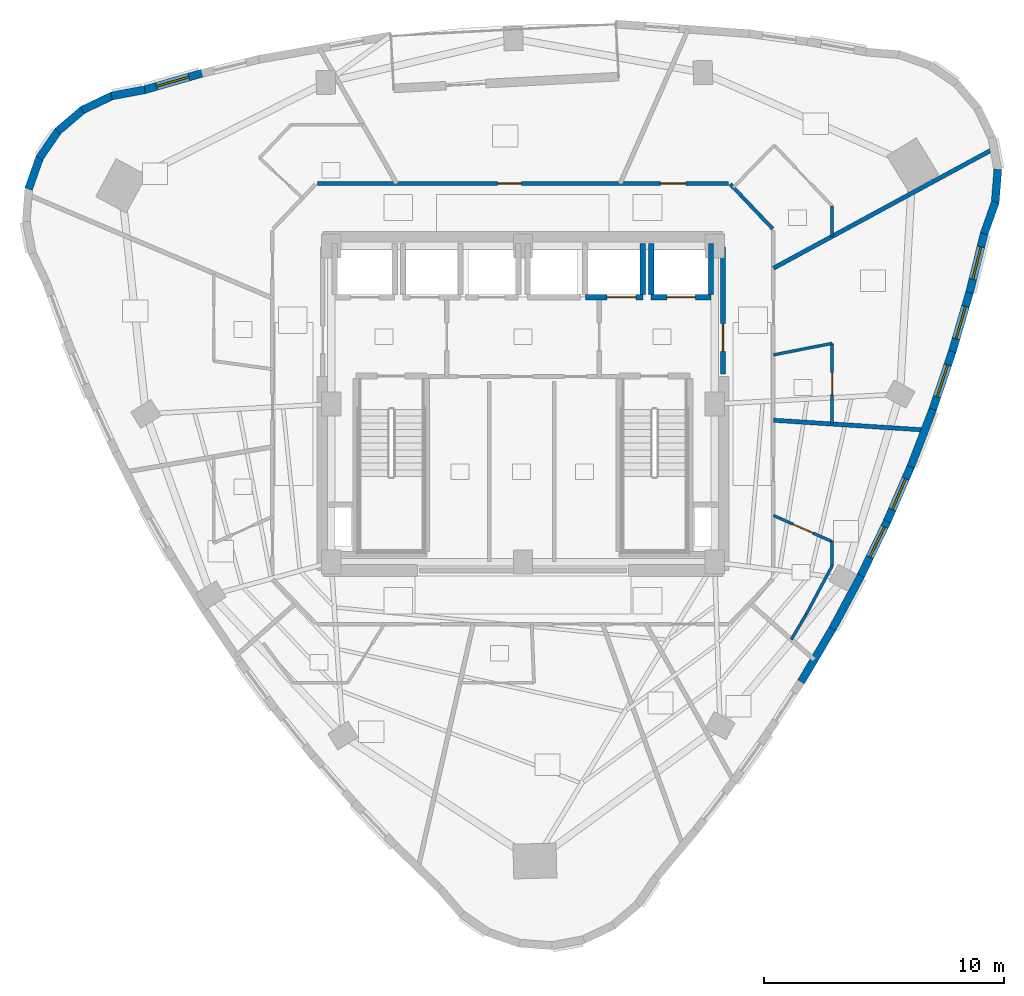
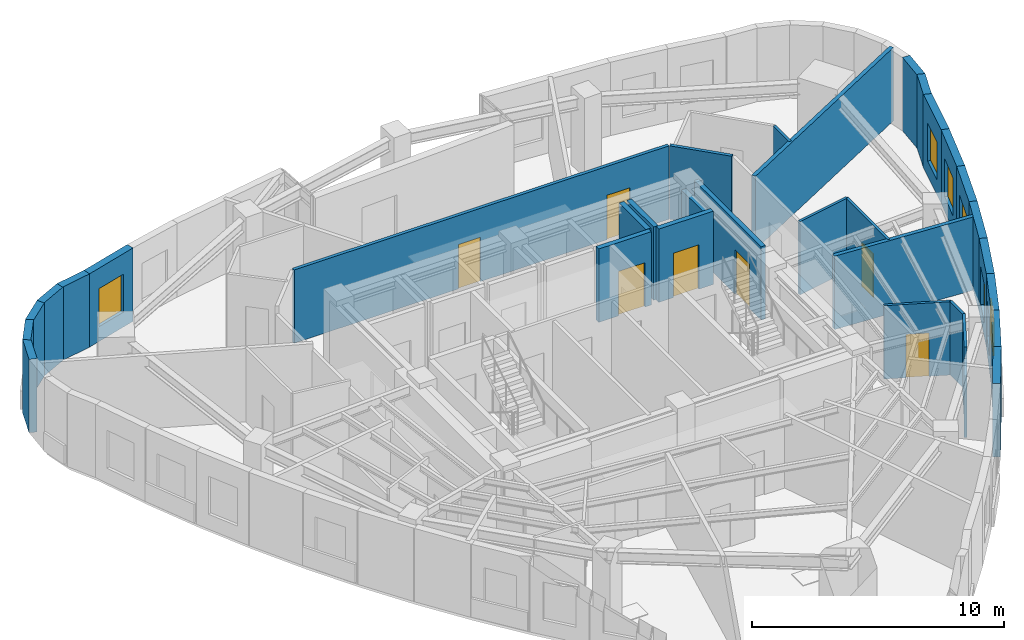
# One storey, part 7 of 11: 33 walls, 7 doors, 6 windows, 13 openings.
"""IFC4 building model written with IfcOpenShell, lengths in metres."""

from ifc_helpers import new_model, si_unit, direction, frame, frame_2d, origin, place, context, subcontext, project, spatial, rectangle, extrude, material, layer, layer_set, type_object, element, fill, save


model = new_model("IFC4")

# Units and contexts
model_context = context("Model", 3, precision=1e-05, world=origin(), true_north=direction((0.0, 1.0)))
body_context = subcontext(model_context, "Body", "Model", "MODEL_VIEW")
ifc_project = project(units=[si_unit("LENGTHUNIT", "METRE"), si_unit("AREAUNIT", "SQUARE_METRE"), si_unit("VOLUMEUNIT", "CUBIC_METRE"), si_unit("PLANEANGLEUNIT", "RADIAN"), si_unit("MASSUNIT", "GRAM", prefix="KILO")], contexts=[model_context])

# Site, building, storey
site_placement = place(None, origin())
site = spatial("IfcSite", under=ifc_project, at=site_placement, CompositionType="ELEMENT")
building_placement = place(site_placement, origin())
building = spatial("IfcBuilding", under=site, at=building_placement, Name="Ndelora Gate Hotel", CompositionType="ELEMENT")
storey_placement = place(building_placement, frame((0.0, 0.0, 224.550048828125)))
storey = spatial("IfcBuildingStorey", under=building, at=storey_placement, Name="L56", CompositionType="ELEMENT", Elevation=224.550048828125)

# Walls
ifc_material_1 = material(Name="Acoustic Double-Stud Gypsum Assembly", Category="gypsum")
ifc_layer_1 = layer(ifc_material_1, 0.179931640625)
ifc_layer_set_1 = layer_set([ifc_layer_1], Name="Acoustic Double-Stud Gypsum Assembly")
wall_type_1 = type_object("IfcWallType", Name="WL-ACOUST-180", PredefinedType="PARTITIONING", material=ifc_layer_set_1)
wall_1_placement = place(storey_placement, frame((10.449951171875, -0.675537109375, 0.0), z_axis=(0.0, 0.0, 1.0), x_axis=(0.997917550795, -0.064502417126, 0.0)))
element("IfcWall", 1, at=wall_1_placement, inside=storey, type_object=wall_type_1, Name="L56 Interior Wall IW-3", PredefinedType="PARTITIONING", context=body_context, shape_type="SweptSolid", body=[
    extrude(rectangle(XDim=6.332275390625, YDim=0.179931640625, at=frame_2d((3.166015625, 0.0))), origin(), (0.0, 0.0, 1.0), 3.550048828125),
])
wall_2_placement = place(storey_placement, frame((10.449951171875, 5.665283203125, 0.0), z_axis=(0.0, 0.0, 1.0), x_axis=(0.879128995533, 0.476583895252, 0.0)))
element("IfcWall", 2, at=wall_2_placement, inside=storey, type_object=wall_type_1, Name="L56 Interior Wall IW-3", PredefinedType="PARTITIONING", context=body_context, shape_type="SweptSolid", body=[
    extrude(rectangle(XDim=10.45947265625, YDim=0.179931640625, at=frame_2d((5.229736328125, 0.0))), origin(), (0.0, 0.0, 1.0), 3.550048828125),
])
ifc_material_2 = material(Name="Clay Brick Masonry", Category="masonry")
ifc_layer_2 = layer(ifc_material_2, 0.330078125)
ifc_layer_set_2 = layer_set([ifc_layer_2], Name="Clay Brick Masonry")
wall_type_2 = type_object("IfcWallType", Name="WL-BRICK-330", PredefinedType="SOLIDWALL", material=ifc_layer_set_2)
wall_3_placement = place(storey_placement, frame((-17.16015625, 12.853271484375, 0.0), z_axis=(0.0, 0.0, 1.0), x_axis=(0.983270499209, 0.182151380411, 0.0)))
element("IfcWall", 3, at=wall_3_placement, inside=storey, type_object=wall_type_2, Name="L56 Tower Brick Pier-and-Spandrel Wall TWR-1", PredefinedType="SOLIDWALL", context=body_context, shape_type="SweptSolid", body=[
    extrude(rectangle(XDim=1.4072265625, YDim=0.330078125, at=frame_2d((0.70361328125, 0.0))), origin(), (0.0, 0.0, 1.0), 3.550048828125),
])
for number, where, z_axis, x_axis, name in (
    (4, (-18.38330078125, 12.2626953125, 0.0), (0.0, 0.0, 1.0), (0.902565310806, 0.430552969714, 0.0), "L56 Tower Brick Pier-and-Spandrel Wall TWR-2"),
    (5, (-19.412109375, 11.37548828125, 0.0), (0.0, 0.0, 1.0), (0.760430782952, 0.64941898982, 0.0), "L56 Tower Brick Pier-and-Spandrel Wall TWR-3"),
    (6, (-20.176025390625, 10.25244140625, 0.0), (0.0, 0.0, 1.0), (0.566374209812, 0.824148199331, 0.0), "L56 Tower Brick Pier-and-Spandrel Wall TWR-4"),
):
    element("IfcWall", number, at=place(storey_placement, frame(where, z_axis=z_axis, x_axis=x_axis)), inside=storey, type_object=wall_type_2, Name=name, PredefinedType="SOLIDWALL", context=body_context, shape_type="SweptSolid", body=[
        extrude(rectangle(XDim=1.407470703125, YDim=0.330078125, at=frame_2d((0.70361328125, 0.0))), origin(), (0.0, 0.0, 1.0), 3.550048828125),
    ])
wall_4_placement = place(storey_placement, frame((-20.623291015625, 8.9697265625, 0.0), z_axis=(0.0, 0.0, 1.0), x_axis=(0.333709077945, 0.942676111555, 0.0)))
element("IfcWall", 7, at=wall_4_placement, inside=storey, type_object=wall_type_2, Name="L56 Tower Brick Pier-and-Spandrel Wall TWR-5", PredefinedType="SOLIDWALL", context=body_context, shape_type="SweptSolid", body=[
    extrude(rectangle(XDim=1.40771484375, YDim=0.330078125, at=frame_2d((0.703857421875, 0.0))), origin(), (0.0, 0.0, 1.0), 3.550048828125),
])
wall_5_placement = place(storey_placement, frame((12.9140625, -9.37548828125, 0.0), z_axis=(0.0, 0.0, 1.0), x_axis=(-0.509023691709, -0.860752508727, 0.0)))
element("IfcWall", 8, at=wall_5_placement, inside=storey, type_object=wall_type_2, Name="L56 Tower Brick Pier-and-Spandrel Wall TWR-33", PredefinedType="SOLIDWALL", context=body_context, shape_type="SweptSolid", body=[
    extrude(rectangle(XDim=2.5703125, YDim=0.330078125, at=frame_2d((1.28515625, 0.0))), origin(), (0.0, 0.0, 1.0), 3.550048828125),
])
wall_6_placement = place(storey_placement, frame((14.102294921875, -7.157470703125, 0.0), z_axis=(0.0, 0.0, 1.0), x_axis=(-0.472567241961, -0.881294616928, 0.0)))
element("IfcWall", 9, at=wall_6_placement, inside=storey, type_object=wall_type_2, Name="L56 Tower Brick Pier-and-Spandrel Wall TWR-34", PredefinedType="SOLIDWALL", context=body_context, shape_type="SweptSolid", body=[
    extrude(rectangle(XDim=2.566162109375, YDim=0.330078125, at=frame_2d((1.283203125, 0.0))), origin(), (0.0, 0.0, 1.0), 3.550048828125),
])

# Wall, opening, window
wall_7_placement = place(storey_placement, frame((15.1962890625, -4.8916015625, 0.0), z_axis=(0.0, 0.0, 1.0), x_axis=(-0.435185371062, -0.900340875898, 0.0)))
wall_7 = element("IfcWall", 10, at=wall_7_placement, inside=storey, type_object=wall_type_2, Name="L56 Tower Brick Pier-and-Spandrel Wall TWR-35", PredefinedType="SOLIDWALL", context=body_context, shape_type="SweptSolid", body=[
    extrude(rectangle(XDim=2.56591796875, YDim=0.330078125, at=frame_2d((1.282958984375, 0.0))), origin(), (0.0, 0.0, 1.0), 3.550048828125),
])
opening_1_placement = place(wall_7_placement, frame((0.260009765625, 0.0, 0.719970703125)))
opening_1 = element("IfcOpeningElement", 11, at=opening_1_placement, cuts=wall_7, Name="Opening W02", PredefinedType="OPENING", context=body_context, shape_type="SweptSolid", body=[
    extrude(rectangle(XDim=1.39990234375, YDim=1.840087890625, at=frame_2d((0.699951171875, 0.919921875))), frame((0.0, 0.175048828125, 0.0), z_axis=(0.0, -1.0, 0.0), x_axis=(1.0, 0.0, 0.0)), (0.0, 0.0, 1.0), 0.35009765625),
])
ifc_material_3 = material(Name="Insulated Low-E Double Glazing in Bronze Aluminium Frame", Category="aluminium")
window_type = type_object("IfcWindowType", Name="WN-DEEP-1400", PartitioningType="SINGLE_PANEL", PredefinedType="WINDOW", material=ifc_material_3)
window_1_placement = place(opening_1_placement, origin())
window_1 = element("IfcWindow", 12, at=window_1_placement, inside=storey, type_object=window_type, Name="L56 Deep-Set Brick-Pier Window W02", OverallHeight=1.840087890625, OverallWidth=1.39990234375, PartitioningType="SINGLE_PANEL", PredefinedType="WINDOW", context=body_context, shape_type="SweptSolid", body=[
    extrude(rectangle(XDim=1.39990234375, YDim=1.840087890625, at=frame_2d((0.699951171875, 0.919921875))), frame((0.0, 0.030029296875, 0.0), z_axis=(0.0, -1.0, 0.0), x_axis=(1.0, 0.0, 0.0)), (0.0, 0.0, 1.0), 0.06005859375),
])
fill(opening_1, window_1)

wall_8_placement = place(storey_placement, frame((16.1962890625, -2.577880859375, 0.0), z_axis=(0.0, 0.0, 1.0), x_axis=(-0.397103611511, -0.917773785704, 0.0)))
wall_8 = element("IfcWall", 13, at=wall_8_placement, inside=storey, type_object=wall_type_2, Name="L56 Tower Brick Pier-and-Spandrel Wall TWR-36", PredefinedType="SOLIDWALL", context=body_context, shape_type="SweptSolid", body=[
    extrude(rectangle(XDim=2.570556640625, YDim=0.330078125, at=frame_2d((1.28515625, 0.0))), origin(), (0.0, 0.0, 1.0), 3.550048828125),
])
opening_2_placement = place(wall_8_placement, frame((0.585205078125, 0.0, 0.719970703125)))
opening_2 = element("IfcOpeningElement", 14, at=opening_2_placement, cuts=wall_8, Name="Opening W02", PredefinedType="OPENING", context=body_context, shape_type="SweptSolid", body=[
    extrude(rectangle(XDim=1.39990234375, YDim=1.840087890625, at=frame_2d((0.699951171875, 0.919921875))), frame((0.0, 0.175048828125, 0.0), z_axis=(0.0, -1.0, 0.0), x_axis=(1.0, 0.0, 0.0)), (0.0, 0.0, 1.0), 0.35009765625),
])
window_2_placement = place(opening_2_placement, origin())
window_2 = element("IfcWindow", 15, at=window_2_placement, inside=storey, type_object=window_type, Name="L56 Deep-Set Brick-Pier Window W02", OverallHeight=1.840087890625, OverallWidth=1.39990234375, PartitioningType="SINGLE_PANEL", PredefinedType="WINDOW", context=body_context, shape_type="SweptSolid", body=[
    extrude(rectangle(XDim=1.39990234375, YDim=1.840087890625, at=frame_2d((0.699951171875, 0.919921875))), frame((0.0, 0.030029296875, 0.0), z_axis=(0.0, -1.0, 0.0), x_axis=(1.0, 0.0, 0.0)), (0.0, 0.0, 1.0), 0.06005859375),
])
fill(opening_2, window_2)

# Wall
wall_9_placement = place(storey_placement, frame((17.102294921875, -0.21630859375, 0.0), z_axis=(0.0, 0.0, 1.0), x_axis=(-0.358528725074, -0.933518694669, 0.0)))
element("IfcWall", 16, at=wall_9_placement, inside=storey, type_object=wall_type_2, Name="L56 Tower Brick Pier-and-Spandrel Wall TWR-37", PredefinedType="SOLIDWALL", context=body_context, shape_type="SweptSolid", body=[
    extrude(rectangle(XDim=2.579345703125, YDim=0.330078125, at=frame_2d((1.28955078125, 0.0))), origin(), (0.0, 0.0, 1.0), 3.550048828125),
])

# Wall, opening, window
wall_10_placement = place(storey_placement, frame((17.914306640625, 2.193115234375, 0.0), z_axis=(0.0, 0.0, 1.0), x_axis=(-0.319700444906, -0.94751866764, 0.0)))
wall_10 = element("IfcWall", 17, at=wall_10_placement, inside=storey, type_object=wall_type_2, Name="L56 Tower Brick Pier-and-Spandrel Wall TWR-38", PredefinedType="SOLIDWALL", context=body_context, shape_type="SweptSolid", body=[
    extrude(rectangle(XDim=2.592529296875, YDim=0.330078125, at=frame_2d((1.29638671875, 0.0))), origin(), (0.0, 0.0, 1.0), 3.550048828125),
])
opening_3_placement = place(wall_10_placement, frame((0.59619140625, 0.0, 0.719970703125)))
opening_3 = element("IfcOpeningElement", 18, at=opening_3_placement, cuts=wall_10, Name="Opening W02", PredefinedType="OPENING", context=body_context, shape_type="SweptSolid", body=[
    extrude(rectangle(XDim=1.39990234375, YDim=1.840087890625, at=frame_2d((0.699951171875, 0.919921875))), frame((0.0, 0.175048828125, 0.0), z_axis=(0.0, -1.0, 0.0), x_axis=(1.0, 0.0, 0.0)), (0.0, 0.0, 1.0), 0.35009765625),
])
window_3_placement = place(opening_3_placement, origin())
window_3 = element("IfcWindow", 19, at=window_3_placement, inside=storey, type_object=window_type, Name="L56 Deep-Set Brick-Pier Window W02", OverallHeight=1.840087890625, OverallWidth=1.39990234375, PartitioningType="SINGLE_PANEL", PredefinedType="WINDOW", context=body_context, shape_type="SweptSolid", body=[
    extrude(rectangle(XDim=1.39990234375, YDim=1.840087890625, at=frame_2d((0.699951171875, 0.919921875))), frame((0.0, 0.030029296875, 0.0), z_axis=(0.0, -1.0, 0.0), x_axis=(1.0, 0.0, 0.0)), (0.0, 0.0, 1.0), 0.06005859375),
])
fill(opening_3, window_3)

wall_11_placement = place(storey_placement, frame((18.632080078125, 4.650390625, 0.0), z_axis=(0.0, 0.0, 1.0), x_axis=(-0.280732723443, -0.959785985514, 0.0)))
wall_11 = element("IfcWall", 20, at=wall_11_placement, inside=storey, type_object=wall_type_2, Name="L56 Tower Brick Pier-and-Spandrel Wall TWR-39", PredefinedType="SOLIDWALL", context=body_context, shape_type="SweptSolid", body=[
    extrude(rectangle(XDim=2.60986328125, YDim=0.330078125, at=frame_2d((1.304931640625, 0.0))), origin(), (0.0, 0.0, 1.0), 3.550048828125),
])
opening_4_placement = place(wall_11_placement, frame((0.60498046875, 0.0, 0.719970703125)))
opening_4 = element("IfcOpeningElement", 21, at=opening_4_placement, cuts=wall_11, Name="Opening W02", PredefinedType="OPENING", context=body_context, shape_type="SweptSolid", body=[
    extrude(rectangle(XDim=1.39990234375, YDim=1.840087890625, at=frame_2d((0.699951171875, 0.919921875))), frame((0.0, 0.175048828125, 0.0), z_axis=(0.0, -1.0, 0.0), x_axis=(1.0, 0.0, 0.0)), (0.0, 0.0, 1.0), 0.35009765625),
])
window_4_placement = place(opening_4_placement, origin())
window_4 = element("IfcWindow", 22, at=window_4_placement, inside=storey, type_object=window_type, Name="L56 Deep-Set Brick-Pier Window W02", OverallHeight=1.840087890625, OverallWidth=1.39990234375, PartitioningType="SINGLE_PANEL", PredefinedType="WINDOW", context=body_context, shape_type="SweptSolid", body=[
    extrude(rectangle(XDim=1.39990234375, YDim=1.840087890625, at=frame_2d((0.699951171875, 0.919921875))), frame((0.0, 0.030029296875, 0.0), z_axis=(0.0, -1.0, 0.0), x_axis=(1.0, 0.0, 0.0)), (0.0, 0.0, 1.0), 0.06005859375),
])
fill(opening_4, window_4)

wall_12_placement = place(storey_placement, frame((19.255859375, 7.15576171875, 0.0), z_axis=(0.0, 0.0, 1.0), x_axis=(-0.24192443615, -0.970295092842, 0.0)))
wall_12 = element("IfcWall", 23, at=wall_12_placement, inside=storey, type_object=wall_type_2, Name="L56 Tower Brick Pier-and-Spandrel Wall TWR-40", PredefinedType="SOLIDWALL", context=body_context, shape_type="SweptSolid", body=[
    extrude(rectangle(XDim=2.6318359375, YDim=0.330078125, at=frame_2d((1.31591796875, 0.0))), origin(), (0.0, 0.0, 1.0), 3.550048828125),
])
opening_5_placement = place(wall_12_placement, frame((0.615966796875, 0.0, 0.719970703125)))
opening_5 = element("IfcOpeningElement", 24, at=opening_5_placement, cuts=wall_12, Name="Opening W02", PredefinedType="OPENING", context=body_context, shape_type="SweptSolid", body=[
    extrude(rectangle(XDim=1.39990234375, YDim=1.840087890625, at=frame_2d((0.699951171875, 0.919921875))), frame((0.0, 0.175048828125, 0.0), z_axis=(0.0, -1.0, 0.0), x_axis=(1.0, 0.0, 0.0)), (0.0, 0.0, 1.0), 0.35009765625),
])
window_5_placement = place(opening_5_placement, origin())
window_5 = element("IfcWindow", 25, at=window_5_placement, inside=storey, type_object=window_type, Name="L56 Deep-Set Brick-Pier Window W02", OverallHeight=1.840087890625, OverallWidth=1.39990234375, PartitioningType="SINGLE_PANEL", PredefinedType="WINDOW", context=body_context, shape_type="SweptSolid", body=[
    extrude(rectangle(XDim=1.39990234375, YDim=1.840087890625, at=frame_2d((0.699951171875, 0.919921875))), frame((0.0, 0.030029296875, 0.0), z_axis=(0.0, -1.0, 0.0), x_axis=(1.0, 0.0, 0.0)), (0.0, 0.0, 1.0), 0.06005859375),
])
fill(opening_5, window_5)

# Walls
wall_13_placement = place(storey_placement, frame((19.711181640625, 8.4345703125, 0.0), z_axis=(0.0, 0.0, 1.0), x_axis=(-0.33376364871, -0.942656791627, 0.0)))
element("IfcWall", 26, at=wall_13_placement, inside=storey, type_object=wall_type_2, Name="L56 Tower Brick Pier-and-Spandrel Wall TWR-41", PredefinedType="SOLIDWALL", context=body_context, shape_type="SweptSolid", body=[
    extrude(rectangle(XDim=1.407470703125, YDim=0.330078125, at=frame_2d((0.70361328125, 0.0))), origin(), (0.0, 0.0, 1.0), 3.550048828125),
])
wall_14_placement = place(storey_placement, frame((19.8115234375, 9.789306640625, 0.0), z_axis=(0.0, 0.0, 1.0), x_axis=(-0.078566409812, -0.99690888212, 0.0)))
element("IfcWall", 27, at=wall_14_placement, inside=storey, type_object=wall_type_2, Name="L56 Tower Brick Pier-and-Spandrel Wall TWR-42", PredefinedType="SOLIDWALL", context=body_context, shape_type="SweptSolid", body=[
    extrude(rectangle(XDim=1.40771484375, YDim=0.330078125, at=frame_2d((0.703857421875, 0.0))), origin(), (0.0, 0.0, 1.0), 3.550048828125),
])

# Wall, opening, window
wall_15_placement = place(storey_placement, frame((-15.824951171875, 13.09814453125, 0.0), z_axis=(0.0, 0.0, 1.0), x_axis=(0.961045266568, 0.276391019406, 0.0)))
wall_15 = element("IfcWall", 28, at=wall_15_placement, inside=storey, type_object=wall_type_2, Name="L56 Tower Brick Pier-and-Spandrel Wall TWR-58", PredefinedType="SOLIDWALL", context=body_context, shape_type="SweptSolid", body=[
    extrude(rectangle(XDim=2.529052734375, YDim=0.330078125, at=frame_2d((1.2646484375, 0.0))), origin(), (0.0, 0.0, 1.0), 3.550048828125),
])
opening_6_placement = place(wall_15_placement, frame((0.564453125, 0.0, 0.719970703125)))
opening_6 = element("IfcOpeningElement", 29, at=opening_6_placement, cuts=wall_15, Name="Opening W02", PredefinedType="OPENING", context=body_context, shape_type="SweptSolid", body=[
    extrude(rectangle(XDim=1.39990234375, YDim=1.840087890625, at=frame_2d((0.699951171875, 0.919921875))), frame((0.0, 0.175048828125, 0.0), z_axis=(0.0, -1.0, 0.0), x_axis=(1.0, 0.0, 0.0)), (0.0, 0.0, 1.0), 0.35009765625),
])
window_6_placement = place(opening_6_placement, origin())
window_6 = element("IfcWindow", 30, at=window_6_placement, inside=storey, type_object=window_type, Name="L56 Deep-Set Brick-Pier Window W02", OverallHeight=1.840087890625, OverallWidth=1.39990234375, PartitioningType="SINGLE_PANEL", PredefinedType="WINDOW", context=body_context, shape_type="SweptSolid", body=[
    extrude(rectangle(XDim=1.39990234375, YDim=1.840087890625, at=frame_2d((0.699951171875, 0.919921875))), frame((0.0, 0.030029296875, 0.0), z_axis=(0.0, -1.0, 0.0), x_axis=(1.0, 0.0, 0.0)), (0.0, 0.0, 1.0), 0.06005859375),
])
fill(opening_6, window_6)

# Wall, opening, door
ifc_material_4 = material(Name="Concrete C40/50", Category="concrete")
ifc_layer_3 = layer(ifc_material_4, 0.199951171875)
ifc_layer_set_3 = layer_set([ifc_layer_3], Name="Concrete C40/50")
wall_type_3 = type_object("IfcWallType", Name="WL-FIRE-200", PredefinedType="PARTITIONING", material=ifc_layer_set_3)
wall_16_placement = place(storey_placement, frame((8.35009765625, 1.25, 0.0), z_axis=(0.0, 0.0, 1.0), x_axis=(0.0, 1.0, 0.0)))
wall_16 = element("IfcWall", 31, at=wall_16_placement, inside=storey, type_object=wall_type_3, Name="L56 Interior Wall IW-2", PredefinedType="PARTITIONING", context=body_context, shape_type="SweptSolid", body=[
    extrude(rectangle(XDim=5.300048828125, YDim=0.199951171875, at=frame_2d((2.64990234375, 0.0))), origin(), (0.0, 0.0, 1.0), 3.550048828125),
])
opening_7_placement = place(wall_16_placement, frame((0.949951171875, 0.0, 0.0)))
opening_7 = element("IfcOpeningElement", 32, at=opening_7_placement, cuts=wall_16, Name="Opening FD1", PredefinedType="OPENING", context=body_context, shape_type="SweptSolid", body=[
    extrude(rectangle(XDim=1.14990234375, YDim=2.14990234375, at=frame_2d((0.574951171875, 1.074951171875))), frame((0.0, 0.10986328125, 0.0), z_axis=(0.0, -1.0, 0.0), x_axis=(1.0, 0.0, 0.0)), (0.0, 0.0, 1.0), 0.219970703125),
])
ifc_material_5 = material(Name="Fire-Rated Timber-Veneer Steel Core", Category="steel")
door_type_1 = type_object("IfcDoorType", Name="DR-FD60", OperationType="SINGLE_SWING_LEFT", PredefinedType="DOOR", material=ifc_material_5)
door_1_placement = place(opening_7_placement, origin())
door_1 = element("IfcDoor", 33, at=door_1_placement, inside=storey, type_object=door_type_1, Name="L56 Firefighting Lobby East Corridor Door", OperationType="SINGLE_SWING_RIGHT", OverallHeight=2.14990234375, OverallWidth=1.14990234375, PredefinedType="DOOR", context=body_context, shape_type="SweptSolid", body=[
    extrude(rectangle(XDim=1.14990234375, YDim=2.14990234375, at=frame_2d((0.574951171875, 1.074951171875))), frame((0.0, 0.02490234375, 0.0), z_axis=(0.0, -1.0, 0.0), x_axis=(1.0, 0.0, 0.0)), (0.0, 0.0, 1.0), 0.050048828125),
])
fill(opening_7, door_1)

# Wall
ifc_material_6 = material(Name="Fire-Rated Gypsum Stud Partition", Category="gypsum")
ifc_layer_4 = layer(ifc_material_6, 0.14990234375)
ifc_layer_set_4 = layer_set([ifc_layer_4], Name="Fire-Rated Gypsum Stud Partition")
wall_type_4 = type_object("IfcWallType", Name="WL-PART-150", PredefinedType="PARTITIONING", material=ifc_layer_set_4)
wall_17_placement = place(storey_placement, frame((8.647705078125, 9.1708984375, 0.0), z_axis=(0.0, 0.0, 1.0), x_axis=(0.689960858356, -0.723846678473, 0.0)))
element("IfcWall", 34, at=wall_17_placement, inside=storey, type_object=wall_type_4, Name="L56 Interior Wall IW-5", PredefinedType="PARTITIONING", context=body_context, shape_type="SweptSolid", body=[
    extrude(rectangle(XDim=2.572021484375, YDim=0.14990234375, at=frame_2d((1.2861328125, 0.0))), origin(), (0.0, 0.0, 1.0), 3.550048828125),
])

# Wall, openings, doors
wall_18_placement = place(storey_placement, frame((-8.580078125, 9.199951171875, 0.0), z_axis=(0.0, 0.0, 1.0), x_axis=(1.0, 0.0, 0.0)))
wall_18 = element("IfcWall", 35, at=wall_18_placement, inside=storey, type_object=wall_type_4, Name="L56 Interior Wall IW-5", PredefinedType="PARTITIONING", context=body_context, shape_type="SweptSolid", body=[
    extrude(rectangle(XDim=17.16015625, YDim=0.14990234375, at=frame_2d((8.580078125, 0.0))), origin(), (0.0, 0.0, 1.0), 3.550048828125),
])
opening_8_placement = place(wall_18_placement, frame((7.519775390625, 0.0, 0.0)))
opening_8 = element("IfcOpeningElement", 36, at=opening_8_placement, cuts=wall_18, Name="Opening D01", PredefinedType="OPENING", context=body_context, shape_type="SweptSolid", body=[
    extrude(rectangle(XDim=1.0, YDim=2.14990234375, at=frame_2d((0.5, 1.074951171875))), frame((0.0, 0.0849609375, 0.0), z_axis=(0.0, -1.0, 0.0), x_axis=(1.0, 0.0, 0.0)), (0.0, 0.0, 1.0), 0.169921875),
])
opening_9_placement = place(wall_18_placement, frame((14.318603515625, 0.0, 0.0)))
opening_9 = element("IfcOpeningElement", 37, at=opening_9_placement, cuts=wall_18, Name="Opening D07", PredefinedType="OPENING", context=body_context, shape_type="SweptSolid", body=[
    extrude(rectangle(XDim=1.06005859375, YDim=2.14990234375, at=frame_2d((0.530029296875, 1.074951171875))), frame((0.0, 0.0849609375, 0.0), z_axis=(0.0, -1.0, 0.0), x_axis=(1.0, 0.0, 0.0)), (0.0, 0.0, 1.0), 0.169921875),
])
ifc_material_7 = material(Name="Acoustic Hardwood Guest Entrance Door", Category="wood")
door_type_2 = type_object("IfcDoorType", Name="DR-COR-1000", OperationType="SINGLE_SWING_LEFT", PredefinedType="DOOR", material=ifc_material_7)
door_2_placement = place(opening_8_placement, origin())
door_2 = element("IfcDoor", 38, at=door_2_placement, inside=storey, type_object=door_type_2, Name="L56 Sky Garden Tea Dining Room Entrance Door", OperationType="SINGLE_SWING_LEFT", OverallHeight=2.14990234375, OverallWidth=1.0, PredefinedType="DOOR", context=body_context, shape_type="SweptSolid", body=[
    extrude(rectangle(XDim=1.0, YDim=2.14990234375, at=frame_2d((0.5, 1.074951171875))), frame((0.0, 0.02490234375, 0.0), z_axis=(0.0, -1.0, 0.0), x_axis=(1.0, 0.0, 0.0)), (0.0, 0.0, 1.0), 0.050048828125),
])
fill(opening_8, door_2)
ifc_material_8 = material(Name="Diplomatic Suite Acoustic Entrance Door", Category="wood")
door_type_3 = type_object("IfcDoorType", Name="DR-SUITE-1060", OperationType="SINGLE_SWING_LEFT", PredefinedType="DOOR", material=ifc_material_8)
door_3_placement = place(opening_9_placement, origin())
door_3 = element("IfcDoor", 39, at=door_3_placement, inside=storey, type_object=door_type_3, Name="L56 Corner Sky Suite 5903 Entrance Door", OperationType="SINGLE_SWING_LEFT", OverallHeight=2.14990234375, OverallWidth=1.06005859375, PredefinedType="DOOR", context=body_context, shape_type="SweptSolid", body=[
    extrude(rectangle(XDim=1.06005859375, YDim=2.14990234375, at=frame_2d((0.530029296875, 1.074951171875))), frame((0.0, 0.02490234375, 0.0), z_axis=(0.0, -1.0, 0.0), x_axis=(1.0, 0.0, 0.0)), (0.0, 0.0, 1.0), 0.050048828125),
])
fill(opening_9, door_3)

# Wall, opening, door
ifc_layer_5 = layer(ifc_material_4, 0.219970703125)
ifc_layer_set_5 = layer_set([ifc_layer_5], Name="Concrete C40/50")
wall_type_5 = type_object("IfcWallType", Name="WL-SHAFT-220", PredefinedType="PARTITIONING", material=ifc_layer_set_5)
wall_19_placement = place(storey_placement, frame((5.35009765625, 4.449951171875, 0.0), z_axis=(0.0, 0.0, 1.0), x_axis=(1.0, 0.0, 0.0)))
wall_19 = element("IfcWall", 40, at=wall_19_placement, inside=storey, type_object=wall_type_5, Name="L56 Interior Wall IW-1", PredefinedType="PARTITIONING", context=body_context, shape_type="SweptSolid", body=[
    extrude(rectangle(XDim=2.5, YDim=0.219970703125, at=frame_2d((1.25, 0.0))), origin(), (0.0, 0.0, 1.0), 3.550048828125),
])
opening_10_placement = place(wall_19_placement, frame((0.659912109375, 0.0, 0.0)))
opening_10 = element("IfcOpeningElement", 41, at=opening_10_placement, cuts=wall_19, Name="Opening LD5", PredefinedType="OPENING", context=body_context, shape_type="SweptSolid", body=[
    extrude(rectangle(XDim=1.179931640625, YDim=2.14990234375, at=frame_2d((0.58984375, 1.074951171875))), frame((0.0, 0.1201171875, 0.0), z_axis=(0.0, -1.0, 0.0), x_axis=(1.0, 0.0, 0.0)), (0.0, 0.0, 1.0), 0.239990234375),
])
ifc_material_9 = material(Name="Firefighting Lift Stainless Sliding Landing Door", Category="metal")
door_type_4 = type_object("IfcDoorType", Name="DR-LD5", OperationType="DOUBLE_DOOR_SLIDING", PredefinedType="DOOR", material=ifc_material_9)
door_4_placement = place(opening_10_placement, origin())
door_4 = element("IfcDoor", 42, at=door_4_placement, inside=storey, type_object=door_type_4, Name="L56 Lift Landing Sliding Door FFL2", OperationType="DOUBLE_DOOR_SLIDING", OverallHeight=2.14990234375, OverallWidth=1.179931640625, PredefinedType="DOOR", context=body_context, shape_type="SweptSolid", body=[
    extrude(rectangle(XDim=1.179931640625, YDim=2.14990234375, at=frame_2d((0.58984375, 1.074951171875))), frame((0.0, 0.02490234375, 0.0), z_axis=(0.0, -1.0, 0.0), x_axis=(1.0, 0.0, 0.0)), (0.0, 0.0, 1.0), 0.050048828125),
])
fill(opening_10, door_4)

# Walls
wall_20_placement = place(storey_placement, frame((5.35009765625, 4.570068359375, 0.0), z_axis=(0.0, 0.0, 1.0), x_axis=(0.0, 1.0, 0.0)))
element("IfcWall", 43, at=wall_20_placement, inside=storey, type_object=wall_type_5, Name="L56 Interior Wall IW-1", PredefinedType="PARTITIONING", context=body_context, shape_type="SweptSolid", body=[
    extrude(rectangle(XDim=2.1298828125, YDim=0.219970703125, at=frame_2d((1.06494140625, 0.0))), origin(), (0.0, 0.0, 1.0), 3.550048828125),
])
wall_21_placement = place(storey_placement, frame((7.85009765625, 4.570068359375, 0.0), z_axis=(0.0, 0.0, 1.0), x_axis=(0.0, 1.0, 0.0)))
element("IfcWall", 44, at=wall_21_placement, inside=storey, type_object=wall_type_5, Name="L56 Interior Wall IW-1", PredefinedType="PARTITIONING", context=body_context, shape_type="SweptSolid", body=[
    extrude(rectangle(XDim=2.1298828125, YDim=0.219970703125, at=frame_2d((1.06494140625, 0.0))), origin(), (0.0, 0.0, 1.0), 3.179931640625),
])

# Wall, opening, door
wall_22_placement = place(storey_placement, frame((2.60009765625, 4.449951171875, 0.0), z_axis=(0.0, 0.0, 1.0), x_axis=(1.0, 0.0, 0.0)))
wall_22 = element("IfcWall", 45, at=wall_22_placement, inside=storey, type_object=wall_type_5, Name="L56 Interior Wall IW-1", PredefinedType="PARTITIONING", context=body_context, shape_type="SweptSolid", body=[
    extrude(rectangle(XDim=2.39990234375, YDim=0.219970703125, at=frame_2d((1.199951171875, 0.0))), origin(), (0.0, 0.0, 1.0), 3.550048828125),
])
opening_11_placement = place(wall_22_placement, frame((0.89990234375, 0.0, 0.0)))
opening_11 = element("IfcOpeningElement", 46, at=opening_11_placement, cuts=wall_22, Name="Opening LD6", PredefinedType="OPENING", context=body_context, shape_type="SweptSolid", body=[
    extrude(rectangle(XDim=1.219970703125, YDim=2.14990234375, at=frame_2d((0.60986328125, 1.074951171875))), frame((0.0, 0.1201171875, 0.0), z_axis=(0.0, -1.0, 0.0), x_axis=(1.0, 0.0, 0.0)), (0.0, 0.0, 1.0), 0.239990234375),
])
ifc_material_10 = material(Name="Heavy-Duty Service Lift Sliding Landing Door", Category="wood")
door_type_5 = type_object("IfcDoorType", Name="DR-LD6", OperationType="DOUBLE_DOOR_SLIDING", PredefinedType="DOOR", material=ifc_material_10)
door_5_placement = place(opening_11_placement, origin())
door_5 = element("IfcDoor", 47, at=door_5_placement, inside=storey, type_object=door_type_5, Name="L56 Lift Landing Sliding Door SVL2", OperationType="DOUBLE_DOOR_SLIDING", OverallHeight=2.14990234375, OverallWidth=1.219970703125, PredefinedType="DOOR", context=body_context, shape_type="SweptSolid", body=[
    extrude(rectangle(XDim=1.219970703125, YDim=2.14990234375, at=frame_2d((0.60986328125, 1.074951171875))), frame((0.0, 0.02490234375, 0.0), z_axis=(0.0, -1.0, 0.0), x_axis=(1.0, 0.0, 0.0)), (0.0, 0.0, 1.0), 0.050048828125),
])
fill(opening_11, door_5)

# Wall
wall_23_placement = place(storey_placement, frame((5.0, 4.570068359375, 0.0), z_axis=(0.0, 0.0, 1.0), x_axis=(0.0, 1.0, 0.0)))
element("IfcWall", 48, at=wall_23_placement, inside=storey, type_object=wall_type_5, Name="L56 Interior Wall IW-1", PredefinedType="PARTITIONING", context=body_context, shape_type="SweptSolid", body=[
    extrude(rectangle(XDim=2.1298828125, YDim=0.219970703125, at=frame_2d((1.06494140625, 0.0))), origin(), (0.0, 0.0, 1.0), 3.550048828125),
])

# Wall, opening, door
ifc_material_11 = material(Name="Moisture-Resistant Bathroom Tile Partition", Category="gypsum")
ifc_layer_6 = layer(ifc_material_11, 0.1201171875)
ifc_layer_set_6 = layer_set([ifc_layer_6], Name="Moisture-Resistant Bathroom Tile Partition")
wall_type_6 = type_object("IfcWallType", Name="WL-WET-120", PredefinedType="PARTITIONING", material=ifc_layer_set_6)
wall_24_placement = place(storey_placement, frame((10.449951171875, -4.649169921875, 0.0), z_axis=(0.0, 0.0, 1.0), x_axis=(0.913676332544, -0.406442565867, 0.0)))
wall_24 = element("IfcWall", 49, at=wall_24_placement, inside=storey, type_object=wall_type_6, Name="L56 Interior Wall IW-7", PredefinedType="PARTITIONING", context=body_context, shape_type="SweptSolid", body=[
    extrude(rectangle(XDim=2.681396484375, YDim=0.1201171875, at=frame_2d((1.3408203125, 0.0))), origin(), (0.0, 0.0, 1.0), 3.550048828125),
])
opening_12_placement = place(wall_24_placement, frame((0.880615234375, 0.0, 0.0)))
opening_12 = element("IfcOpeningElement", 50, at=opening_12_placement, cuts=wall_24, Name="Opening D03", PredefinedType="OPENING", context=body_context, shape_type="SweptSolid", body=[
    extrude(rectangle(XDim=0.919921875, YDim=2.10009765625, at=frame_2d((0.4599609375, 1.050048828125))), frame((0.0, 0.070068359375, 0.0), z_axis=(0.0, -1.0, 0.0), x_axis=(1.0, 0.0, 0.0)), (0.0, 0.0, 1.0), 0.14013671875),
])
ifc_material_12 = material(Name="Moisture-Resistant Hardwood En-Suite Door", Category="wood")
door_type_6 = type_object("IfcDoorType", Name="DR-BATH-920", OperationType="SINGLE_SWING_LEFT", PredefinedType="DOOR", material=ifc_material_12)
door_6_placement = place(opening_12_placement, origin())
door_6 = element("IfcDoor", 51, at=door_6_placement, inside=storey, type_object=door_type_6, Name="L56 En-suite Bathroom 5901 Door", OperationType="SINGLE_SWING_RIGHT", OverallHeight=2.10009765625, OverallWidth=0.919921875, PredefinedType="DOOR", context=body_context, shape_type="SweptSolid", body=[
    extrude(rectangle(XDim=0.919921875, YDim=2.10009765625, at=frame_2d((0.4599609375, 1.050048828125))), frame((0.0, 0.02490234375, 0.0), z_axis=(0.0, -1.0, 0.0), x_axis=(1.0, 0.0, 0.0)), (0.0, 0.0, 1.0), 0.050048828125),
])
fill(opening_12, door_6)

# Walls
wall_25_placement = place(storey_placement, frame((12.89990234375, -5.739013671875, 0.0), z_axis=(0.0, 0.0, 1.0), x_axis=(0.0, -1.0, 0.0)))
element("IfcWall", 52, at=wall_25_placement, inside=storey, type_object=wall_type_6, Name="L56 Interior Wall IW-7", PredefinedType="PARTITIONING", context=body_context, shape_type="SweptSolid", body=[
    extrude(rectangle(XDim=1.015380859375, YDim=0.1201171875, at=frame_2d((0.5078125, 0.0))), origin(), (0.0, 0.0, 1.0), 3.550048828125),
])
wall_26_placement = place(storey_placement, frame((11.812255859375, -8.783203125, 0.0), z_axis=(0.0, 0.0, 1.0), x_axis=(0.472486272228, 0.881338029678, 0.0)))
element("IfcWall", 53, at=wall_26_placement, inside=storey, type_object=wall_type_6, Name="L56 Interior Wall IW-7", PredefinedType="PARTITIONING", context=body_context, shape_type="SweptSolid", body=[
    extrude(rectangle(XDim=2.302001953125, YDim=0.1201171875, at=frame_2d((1.15087890625, 0.0))), origin(), (0.0, 0.0, 1.0), 3.550048828125),
])
wall_27_placement = place(storey_placement, frame((11.19677734375, -9.82373046875, 0.0), z_axis=(0.0, 0.0, 1.0), x_axis=(0.509110272453, 0.860701301546, 0.0)))
element("IfcWall", 54, at=wall_27_placement, inside=storey, type_object=wall_type_6, Name="L56 Interior Wall IW-7", PredefinedType="PARTITIONING", context=body_context, shape_type="SweptSolid", body=[
    extrude(rectangle(XDim=1.208984375, YDim=0.1201171875, at=frame_2d((0.6044921875, 0.0))), origin(), (0.0, 0.0, 1.0), 2.97998046875),
])
wall_28_placement = place(storey_placement, frame((10.449951171875, 2.04931640625, 0.0), z_axis=(0.0, 0.0, 1.0), x_axis=(0.981307232297, 0.192447696379, 0.0)))
element("IfcWall", 55, at=wall_28_placement, inside=storey, type_object=wall_type_6, Name="L56 Interior Wall IW-7", PredefinedType="PARTITIONING", context=body_context, shape_type="SweptSolid", body=[
    extrude(rectangle(XDim=2.49658203125, YDim=0.1201171875, at=frame_2d((1.248291015625, 0.0))), origin(), (0.0, 0.0, 1.0), 3.550048828125),
])

# Wall, opening, door
wall_29_placement = place(storey_placement, frame((12.89990234375, 2.52978515625, 0.0), z_axis=(0.0, 0.0, 1.0), x_axis=(0.0, -1.0, 0.0)))
wall_29 = element("IfcWall", 56, at=wall_29_placement, inside=storey, type_object=wall_type_6, Name="L56 Interior Wall IW-7", PredefinedType="PARTITIONING", context=body_context, shape_type="SweptSolid", body=[
    extrude(rectangle(XDim=3.36376953125, YDim=0.1201171875, at=frame_2d((1.681884765625, 0.0))), origin(), (0.0, 0.0, 1.0), 3.550048828125),
])
opening_13_placement = place(wall_29_placement, frame((1.221923828125, 0.0, 0.0)))
opening_13 = element("IfcOpeningElement", 57, at=opening_13_placement, cuts=wall_29, Name="Opening D03", PredefinedType="OPENING", context=body_context, shape_type="SweptSolid", body=[
    extrude(rectangle(XDim=0.919921875, YDim=2.10009765625, at=frame_2d((0.4599609375, 1.050048828125))), frame((0.0, 0.070068359375, 0.0), z_axis=(0.0, -1.0, 0.0), x_axis=(1.0, 0.0, 0.0)), (0.0, 0.0, 1.0), 0.14013671875),
])
door_7_placement = place(opening_13_placement, origin())
door_7 = element("IfcDoor", 58, at=door_7_placement, inside=storey, type_object=door_type_6, Name="L56 En-suite Bathroom 5902 Door", OperationType="SINGLE_SWING_LEFT", OverallHeight=2.10009765625, OverallWidth=0.919921875, PredefinedType="DOOR", context=body_context, shape_type="SweptSolid", body=[
    extrude(rectangle(XDim=0.919921875, YDim=2.10009765625, at=frame_2d((0.4599609375, 1.050048828125))), frame((0.0, 0.02490234375, 0.0), z_axis=(0.0, -1.0, 0.0), x_axis=(1.0, 0.0, 0.0)), (0.0, 0.0, 1.0), 0.050048828125),
])
fill(opening_13, door_7)

# Wall
wall_30_placement = place(storey_placement, frame((12.89990234375, 6.993408203125, 0.0), z_axis=(0.0, 0.0, 1.0), x_axis=(0.0, 1.0, 0.0)))
element("IfcWall", 59, at=wall_30_placement, inside=storey, type_object=wall_type_6, Name="L56 Interior Wall IW-7", PredefinedType="PARTITIONING", context=body_context, shape_type="SweptSolid", body=[
    extrude(rectangle(XDim=1.26708984375, YDim=0.1201171875, at=frame_2d((0.633544921875, 0.0))), origin(), (0.0, 0.0, 1.0), 3.550048828125),
])

save(model, "model.ifc")
